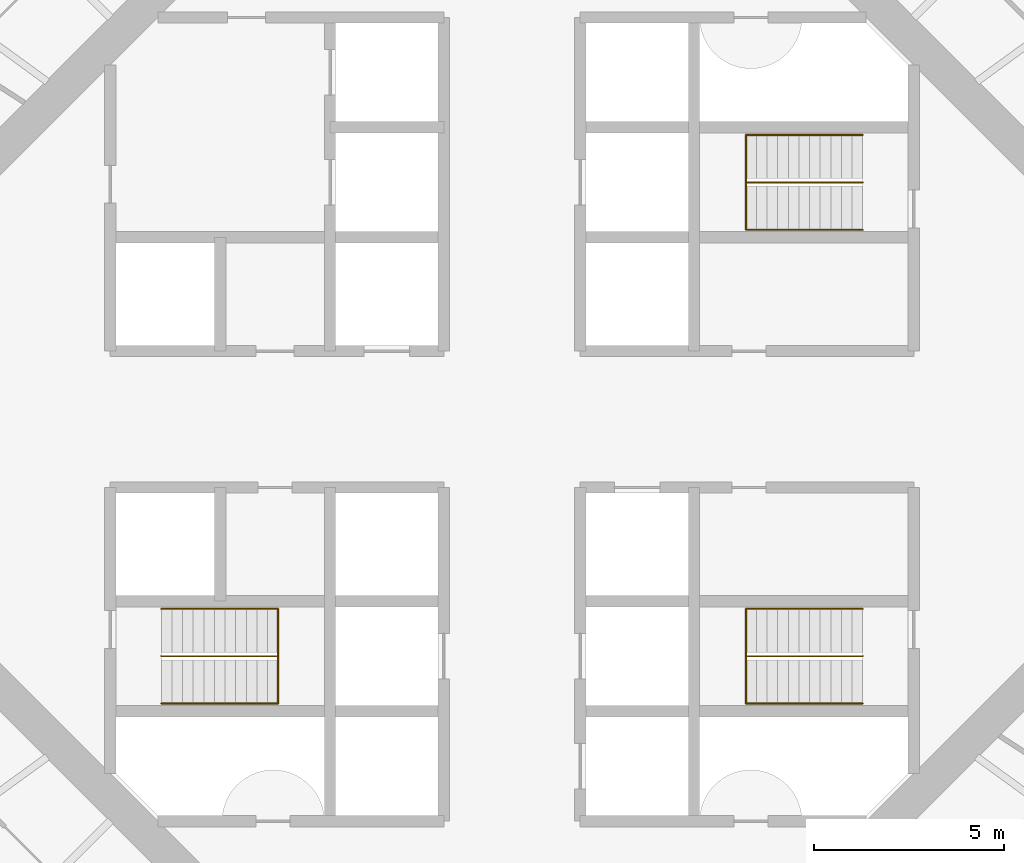
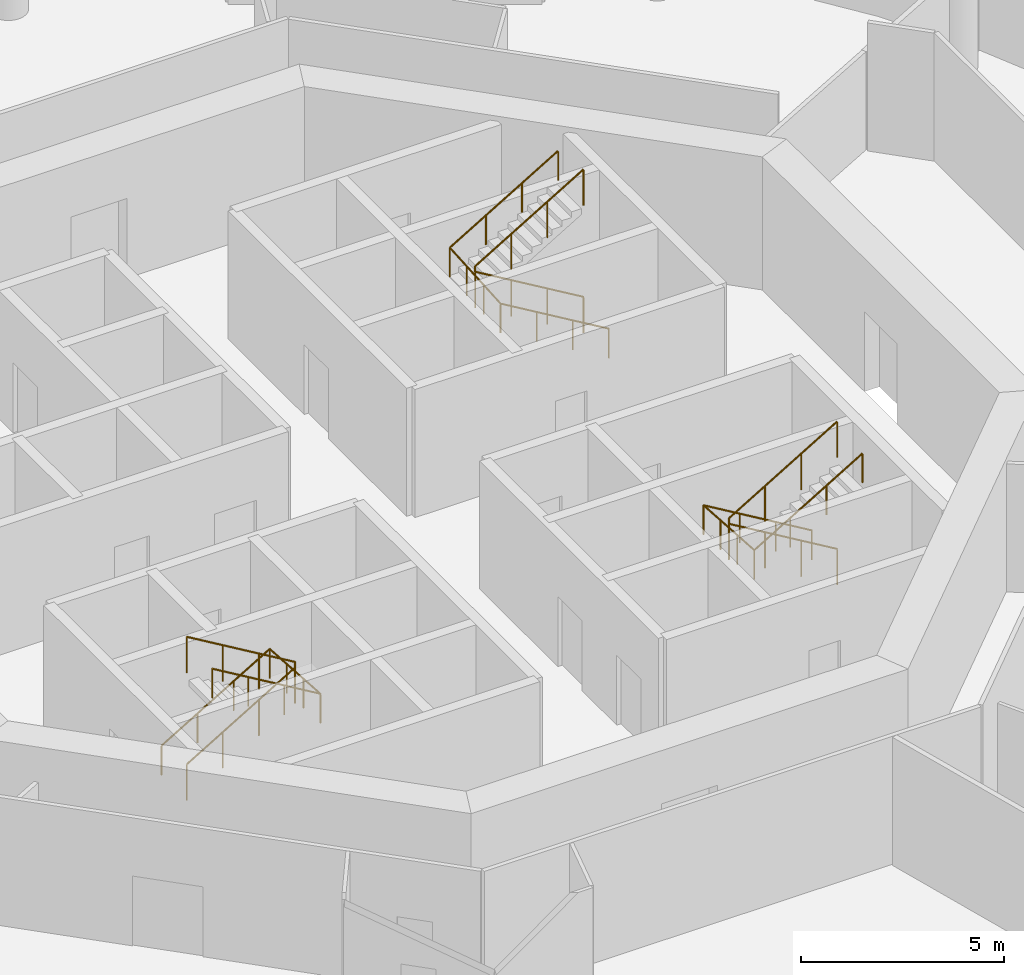
# One storey, part 13 of 13: 6 railings.
"""IFC4 building model written with IfcOpenShell, lengths in metres."""

from ifc_helpers import new_model, si_unit, direction, frame, origin, origin_2d, place, context, subcontext, project, spatial, circle, extrude, material, type_object, element, save


model = new_model("IFC4")

# Units and contexts
model_context = context("Model", 3, precision=1e-05, world=origin(), true_north=direction((0.0, 1.0)))
body_context = subcontext(model_context, "Body", "Model", "MODEL_VIEW")
ifc_project = project(units=[si_unit("LENGTHUNIT", "METRE"), si_unit("AREAUNIT", "SQUARE_METRE"), si_unit("VOLUMEUNIT", "CUBIC_METRE"), si_unit("PLANEANGLEUNIT", "RADIAN"), si_unit("MASSUNIT", "GRAM", prefix="KILO")], contexts=[model_context])

# Site, building, storey
site_placement = place(None, origin())
site = spatial("IfcSite", under=ifc_project, at=site_placement, CompositionType="ELEMENT")
building_placement = place(site_placement, origin())
building = spatial("IfcBuilding", under=site, at=building_placement, Name="Entoto Ring Tower", CompositionType="ELEMENT")
storey_placement = place(building_placement, frame((0.0, 0.0, 218.0)))
storey = spatial("IfcBuildingStorey", under=building, at=storey_placement, Name="L50", CompositionType="ELEMENT", Elevation=218.0)

# Railings
ifc_material_1 = material(Name="Steel S275", Category="steel")
railing_type_1 = type_object("IfcRailingType", Name="Stair guard 1100 mm steel", PredefinedType="GUARDRAIL", material=ifc_material_1)
railing_1_placement = place(storey_placement, frame((99.25, 86.25, 0.166748046875)))
element("IfcRailing", 1, at=railing_1_placement, inside=storey, type_object=railing_type_1, Name="Guard ST1", PredefinedType="GUARDRAIL", context=body_context, shape_type="SweptSolid", body=[
    extrude(circle(Radius=0.02392578125, at=origin_2d()), frame((0.0, 0.0, 1.076171875), z_axis=(-0.859308565015, 0.0, 0.511457515432), x_axis=(0.0, -1.0, 0.0)), (0.0, 0.0, 1.0), 3.58447265625),
    extrude(circle(Radius=0.02392578125, at=origin_2d()), frame((-3.080078125, 0.0, 2.9091796875), z_axis=(0.0, 0.0, 1.0), x_axis=(1.0, 0.0, 0.0)), (0.0, 0.0, 1.0), 0.166748046875),
    extrude(circle(Radius=0.02392578125, at=origin_2d()), frame((-3.080078125, 0.0, 3.076171875), z_axis=(0.859308565015, 0.0, 0.511457515432), x_axis=(0.0, 1.0, 0.0)), (0.0, 0.0, 1.0), 3.58447265625),
    extrude(circle(Radius=0.02099609375, at=origin_2d()), origin(), (0.0, 0.0, 1.0), 1.052001953125),
    extrude(circle(Radius=0.02099609375, at=origin_2d()), frame((-1.026611328125, 0.0, 0.611083984375)), (0.0, 0.0, 1.0), 1.052001953125),
    extrude(circle(Radius=0.02099609375, at=origin_2d()), frame((-2.053466796875, 0.0, 1.22216796875)), (0.0, 0.0, 1.0), 1.052001953125),
    extrude(circle(Radius=0.02099609375, at=origin_2d()), frame((-3.080078125, 0.0, 1.833251953125)), (0.0, 0.0, 1.0), 1.052001953125),
    extrude(circle(Radius=0.02099609375, at=origin_2d()), frame((-3.080078125, 0.0, 2.0)), (0.0, 0.0, 1.0), 1.052001953125),
    extrude(circle(Radius=0.02099609375, at=origin_2d()), frame((-2.053466796875, 0.0, 2.611083984375)), (0.0, 0.0, 1.0), 1.052001953125),
    extrude(circle(Radius=0.02099609375, at=origin_2d()), frame((-1.026611328125, 0.0, 3.22216796875)), (0.0, 0.0, 1.0), 1.052001953125),
    extrude(circle(Radius=0.02099609375, at=origin_2d()), frame((0.0, 0.0, 3.833251953125)), (0.0, 0.0, 1.0), 1.052001953125),
])
railing_2_placement = place(storey_placement, frame((80.75, 73.75, 0.166748046875)))
element("IfcRailing", 2, at=railing_2_placement, inside=storey, type_object=railing_type_1, Name="Guard ST2", PredefinedType="GUARDRAIL", context=body_context, shape_type="SweptSolid", body=[
    extrude(circle(Radius=0.02392578125, at=origin_2d()), frame((0.0, 0.0, 1.076171875), z_axis=(0.859308565015, 0.0, 0.511457515432), x_axis=(0.0, 1.0, 0.0)), (0.0, 0.0, 1.0), 3.58447265625),
    extrude(circle(Radius=0.02392578125, at=origin_2d()), frame((3.080078125, 0.0, 2.9091796875), z_axis=(0.0, 0.0, 1.0), x_axis=(1.0, 0.0, 0.0)), (0.0, 0.0, 1.0), 0.166748046875),
    extrude(circle(Radius=0.02392578125, at=origin_2d()), frame((3.080078125, 0.0, 3.076171875), z_axis=(-0.859308565015, 0.0, 0.511457515432), x_axis=(0.0, -1.0, 0.0)), (0.0, 0.0, 1.0), 3.58447265625),
    extrude(circle(Radius=0.02099609375, at=origin_2d()), origin(), (0.0, 0.0, 1.0), 1.052001953125),
    extrude(circle(Radius=0.02099609375, at=origin_2d()), frame((1.026611328125, 0.0, 0.611083984375)), (0.0, 0.0, 1.0), 1.052001953125),
    extrude(circle(Radius=0.02099609375, at=origin_2d()), frame((2.053466796875, 0.0, 1.22216796875)), (0.0, 0.0, 1.0), 1.052001953125),
    extrude(circle(Radius=0.02099609375, at=origin_2d()), frame((3.080078125, 0.0, 1.833251953125)), (0.0, 0.0, 1.0), 1.052001953125),
    extrude(circle(Radius=0.02099609375, at=origin_2d()), frame((3.080078125, 0.0, 2.0)), (0.0, 0.0, 1.0), 1.052001953125),
    extrude(circle(Radius=0.02099609375, at=origin_2d()), frame((2.053466796875, 0.0, 2.611083984375)), (0.0, 0.0, 1.0), 1.052001953125),
    extrude(circle(Radius=0.02099609375, at=origin_2d()), frame((1.026611328125, 0.0, 3.22216796875)), (0.0, 0.0, 1.0), 1.052001953125),
    extrude(circle(Radius=0.02099609375, at=origin_2d()), frame((0.0, 0.0, 3.833251953125)), (0.0, 0.0, 1.0), 1.052001953125),
])
railing_3_placement = place(storey_placement, frame((99.25, 73.75, 0.166748046875)))
element("IfcRailing", 3, at=railing_3_placement, inside=storey, type_object=railing_type_1, Name="Guard ST3", PredefinedType="GUARDRAIL", context=body_context, shape_type="SweptSolid", body=[
    extrude(circle(Radius=0.02392578125, at=origin_2d()), frame((0.0, 0.0, 1.076171875), z_axis=(-0.859308565015, 0.0, 0.511457515432), x_axis=(0.0, -1.0, 0.0)), (0.0, 0.0, 1.0), 3.58447265625),
    extrude(circle(Radius=0.02392578125, at=origin_2d()), frame((-3.080078125, 0.0, 2.9091796875), z_axis=(0.0, 0.0, 1.0), x_axis=(1.0, 0.0, 0.0)), (0.0, 0.0, 1.0), 0.166748046875),
    extrude(circle(Radius=0.02392578125, at=origin_2d()), frame((-3.080078125, 0.0, 3.076171875), z_axis=(0.859308565015, 0.0, 0.511457515432), x_axis=(0.0, 1.0, 0.0)), (0.0, 0.0, 1.0), 3.58447265625),
    extrude(circle(Radius=0.02099609375, at=origin_2d()), origin(), (0.0, 0.0, 1.0), 1.052001953125),
    extrude(circle(Radius=0.02099609375, at=origin_2d()), frame((-1.026611328125, 0.0, 0.611083984375)), (0.0, 0.0, 1.0), 1.052001953125),
    extrude(circle(Radius=0.02099609375, at=origin_2d()), frame((-2.053466796875, 0.0, 1.22216796875)), (0.0, 0.0, 1.0), 1.052001953125),
    extrude(circle(Radius=0.02099609375, at=origin_2d()), frame((-3.080078125, 0.0, 1.833251953125)), (0.0, 0.0, 1.0), 1.052001953125),
    extrude(circle(Radius=0.02099609375, at=origin_2d()), frame((-3.080078125, 0.0, 2.0)), (0.0, 0.0, 1.0), 1.052001953125),
    extrude(circle(Radius=0.02099609375, at=origin_2d()), frame((-2.053466796875, 0.0, 2.611083984375)), (0.0, 0.0, 1.0), 1.052001953125),
    extrude(circle(Radius=0.02099609375, at=origin_2d()), frame((-1.026611328125, 0.0, 3.22216796875)), (0.0, 0.0, 1.0), 1.052001953125),
    extrude(circle(Radius=0.02099609375, at=origin_2d()), frame((0.0, 0.0, 3.833251953125)), (0.0, 0.0, 1.0), 1.052001953125),
])
ifc_material_2 = material(Name="Steel S275", Category="steel")
railing_type_2 = type_object("IfcRailingType", Name="Stair handrail 900 mm steel", PredefinedType="HANDRAIL", material=ifc_material_2)
railing_4_placement = place(storey_placement, frame((99.25, 85.0, 0.166748046875)))
element("IfcRailing", 4, at=railing_4_placement, inside=storey, type_object=railing_type_2, Name="Handrail ST1", PredefinedType="HANDRAIL", context=body_context, shape_type="SweptSolid", body=[
    extrude(circle(Radius=0.02392578125, at=origin_2d()), frame((0.0, 0.0, 0.8759765625), z_axis=(-0.859308565015, 0.0, 0.511457515432), x_axis=(0.0, -1.0, 0.0)), (0.0, 0.0, 1.0), 3.58447265625),
    extrude(circle(Radius=0.02392578125, at=origin_2d()), frame((-3.080078125, 0.0, 2.708984375), z_axis=(0.0, 0.997783001586, 0.066551346688), x_axis=(-1.0, 0.0, 0.0)), (0.0, 0.0, 1.0), 2.505615234375),
    extrude(circle(Radius=0.02392578125, at=origin_2d()), frame((-3.080078125, 2.5, 2.8759765625), z_axis=(0.859308565015, 0.0, 0.511457515432), x_axis=(0.0, 1.0, 0.0)), (0.0, 0.0, 1.0), 3.58447265625),
    extrude(circle(Radius=0.02099609375, at=origin_2d()), origin(), (0.0, 0.0, 1.0), 0.851806640625),
    extrude(circle(Radius=0.02099609375, at=origin_2d()), frame((-1.026611328125, 0.0, 0.611083984375)), (0.0, 0.0, 1.0), 0.851806640625),
    extrude(circle(Radius=0.02099609375, at=origin_2d()), frame((-2.053466796875, 0.0, 1.22216796875)), (0.0, 0.0, 1.0), 0.851806640625),
    extrude(circle(Radius=0.02099609375, at=origin_2d()), frame((-3.080078125, 0.0, 1.833251953125)), (0.0, 0.0, 1.0), 0.851806640625),
    extrude(circle(Radius=0.02099609375, at=origin_2d()), frame((-3.080078125, 0.833251953125, 1.888916015625)), (0.0, 0.0, 1.0), 0.851806640625),
    extrude(circle(Radius=0.02099609375, at=origin_2d()), frame((-3.080078125, 1.666748046875, 1.9443359375)), (0.0, 0.0, 1.0), 0.851806640625),
    extrude(circle(Radius=0.02099609375, at=origin_2d()), frame((-3.080078125, 2.5, 2.0)), (0.0, 0.0, 1.0), 0.851806640625),
    extrude(circle(Radius=0.02099609375, at=origin_2d()), frame((-2.053466796875, 2.5, 2.611083984375)), (0.0, 0.0, 1.0), 0.851806640625),
    extrude(circle(Radius=0.02099609375, at=origin_2d()), frame((-1.026611328125, 2.5, 3.22216796875)), (0.0, 0.0, 1.0), 0.851806640625),
    extrude(circle(Radius=0.02099609375, at=origin_2d()), frame((0.0, 2.5, 3.833251953125)), (0.0, 0.0, 1.0), 0.851806640625),
])
railing_5_placement = place(storey_placement, frame((80.75, 75.0, 0.166748046875)))
element("IfcRailing", 5, at=railing_5_placement, inside=storey, type_object=railing_type_2, Name="Handrail ST2", PredefinedType="HANDRAIL", context=body_context, shape_type="SweptSolid", body=[
    extrude(circle(Radius=0.02392578125, at=origin_2d()), frame((0.0, 0.0, 0.8759765625), z_axis=(0.859308565015, 0.0, 0.511457515432), x_axis=(0.0, 1.0, 0.0)), (0.0, 0.0, 1.0), 3.58447265625),
    extrude(circle(Radius=0.02392578125, at=origin_2d()), frame((3.080078125, 0.0, 2.708984375), z_axis=(0.0, -0.997783001586, 0.066551346688), x_axis=(1.0, 0.0, 0.0)), (0.0, 0.0, 1.0), 2.505615234375),
    extrude(circle(Radius=0.02392578125, at=origin_2d()), frame((3.080078125, -2.5, 2.8759765625), z_axis=(-0.859308565015, 0.0, 0.511457515432), x_axis=(0.0, -1.0, 0.0)), (0.0, 0.0, 1.0), 3.58447265625),
    extrude(circle(Radius=0.02099609375, at=origin_2d()), origin(), (0.0, 0.0, 1.0), 0.851806640625),
    extrude(circle(Radius=0.02099609375, at=origin_2d()), frame((1.026611328125, 0.0, 0.611083984375)), (0.0, 0.0, 1.0), 0.851806640625),
    extrude(circle(Radius=0.02099609375, at=origin_2d()), frame((2.053466796875, 0.0, 1.22216796875)), (0.0, 0.0, 1.0), 0.851806640625),
    extrude(circle(Radius=0.02099609375, at=origin_2d()), frame((3.080078125, 0.0, 1.833251953125)), (0.0, 0.0, 1.0), 0.851806640625),
    extrude(circle(Radius=0.02099609375, at=origin_2d()), frame((3.080078125, -0.833251953125, 1.888916015625)), (0.0, 0.0, 1.0), 0.851806640625),
    extrude(circle(Radius=0.02099609375, at=origin_2d()), frame((3.080078125, -1.666748046875, 1.9443359375)), (0.0, 0.0, 1.0), 0.851806640625),
    extrude(circle(Radius=0.02099609375, at=origin_2d()), frame((3.080078125, -2.5, 2.0)), (0.0, 0.0, 1.0), 0.851806640625),
    extrude(circle(Radius=0.02099609375, at=origin_2d()), frame((2.053466796875, -2.5, 2.611083984375)), (0.0, 0.0, 1.0), 0.851806640625),
    extrude(circle(Radius=0.02099609375, at=origin_2d()), frame((1.026611328125, -2.5, 3.22216796875)), (0.0, 0.0, 1.0), 0.851806640625),
    extrude(circle(Radius=0.02099609375, at=origin_2d()), frame((0.0, -2.5, 3.833251953125)), (0.0, 0.0, 1.0), 0.851806640625),
])
railing_6_placement = place(storey_placement, frame((99.25, 75.0, 0.166748046875)))
element("IfcRailing", 6, at=railing_6_placement, inside=storey, type_object=railing_type_2, Name="Handrail ST3", PredefinedType="HANDRAIL", context=body_context, shape_type="SweptSolid", body=[
    extrude(circle(Radius=0.02392578125, at=origin_2d()), frame((0.0, 0.0, 0.8759765625), z_axis=(-0.859308565015, 0.0, 0.511457515432), x_axis=(0.0, -1.0, 0.0)), (0.0, 0.0, 1.0), 3.58447265625),
    extrude(circle(Radius=0.02392578125, at=origin_2d()), frame((-3.080078125, 0.0, 2.708984375), z_axis=(0.0, -0.997783001586, 0.066551346688), x_axis=(1.0, 0.0, 0.0)), (0.0, 0.0, 1.0), 2.505615234375),
    extrude(circle(Radius=0.02392578125, at=origin_2d()), frame((-3.080078125, -2.5, 2.8759765625), z_axis=(0.859308565015, 0.0, 0.511457515432), x_axis=(0.0, 1.0, 0.0)), (0.0, 0.0, 1.0), 3.58447265625),
    extrude(circle(Radius=0.02099609375, at=origin_2d()), origin(), (0.0, 0.0, 1.0), 0.851806640625),
    extrude(circle(Radius=0.02099609375, at=origin_2d()), frame((-1.026611328125, 0.0, 0.611083984375)), (0.0, 0.0, 1.0), 0.851806640625),
    extrude(circle(Radius=0.02099609375, at=origin_2d()), frame((-2.053466796875, 0.0, 1.22216796875)), (0.0, 0.0, 1.0), 0.851806640625),
    extrude(circle(Radius=0.02099609375, at=origin_2d()), frame((-3.080078125, 0.0, 1.833251953125)), (0.0, 0.0, 1.0), 0.851806640625),
    extrude(circle(Radius=0.02099609375, at=origin_2d()), frame((-3.080078125, -0.833251953125, 1.888916015625)), (0.0, 0.0, 1.0), 0.851806640625),
    extrude(circle(Radius=0.02099609375, at=origin_2d()), frame((-3.080078125, -1.666748046875, 1.9443359375)), (0.0, 0.0, 1.0), 0.851806640625),
    extrude(circle(Radius=0.02099609375, at=origin_2d()), frame((-3.080078125, -2.5, 2.0)), (0.0, 0.0, 1.0), 0.851806640625),
    extrude(circle(Radius=0.02099609375, at=origin_2d()), frame((-2.053466796875, -2.5, 2.611083984375)), (0.0, 0.0, 1.0), 0.851806640625),
    extrude(circle(Radius=0.02099609375, at=origin_2d()), frame((-1.026611328125, -2.5, 3.22216796875)), (0.0, 0.0, 1.0), 0.851806640625),
    extrude(circle(Radius=0.02099609375, at=origin_2d()), frame((0.0, -2.5, 3.833251953125)), (0.0, 0.0, 1.0), 0.851806640625),
])

save(model, "model.ifc")
